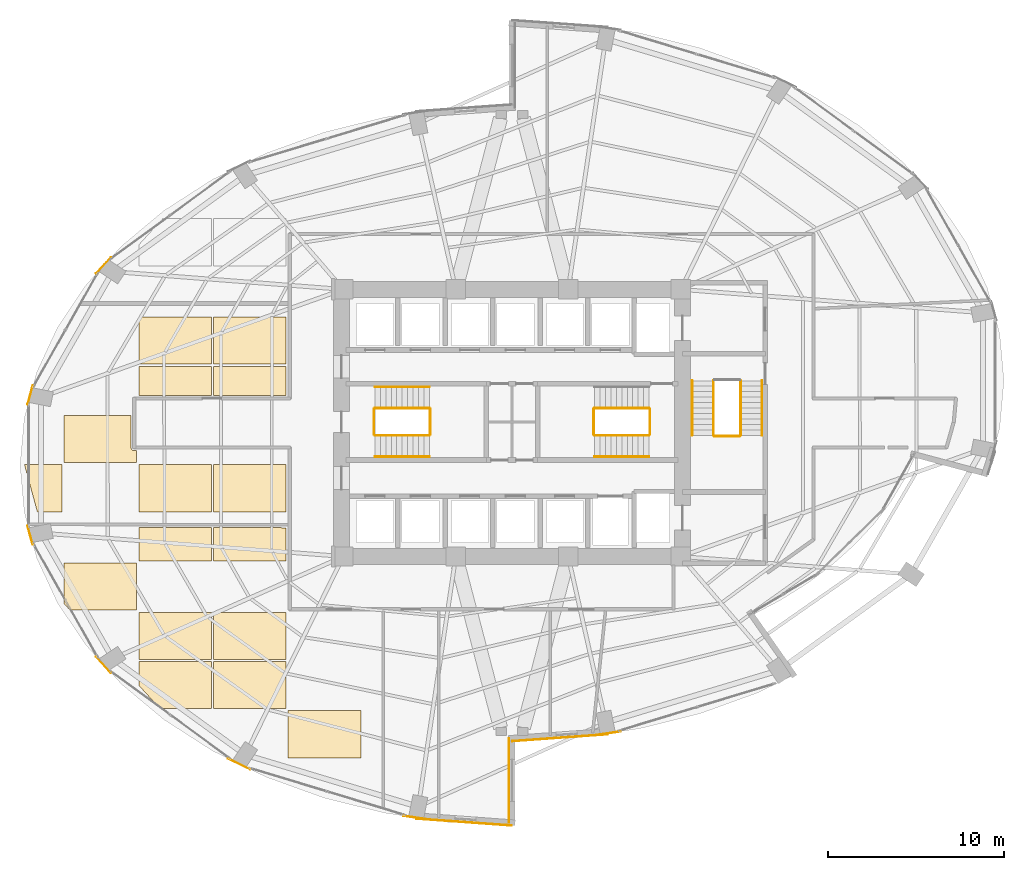
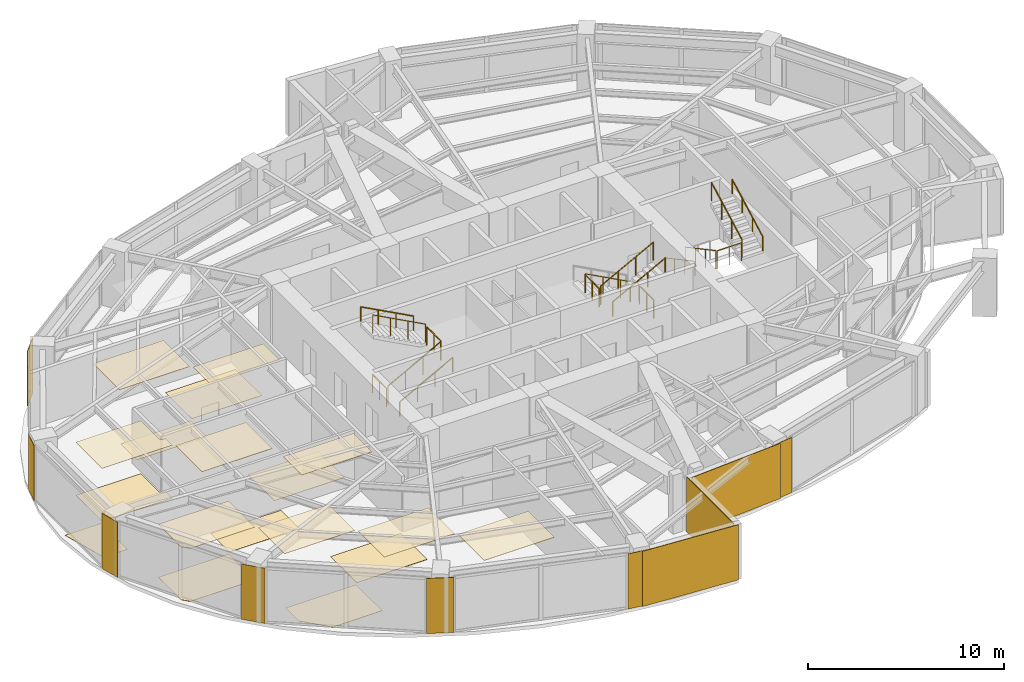
# One storey, part 23 of 24: 28 coverings, 16 railings.
"""IFC4 building model written with IfcOpenShell, lengths in metres."""

from ifc_helpers import new_model, si_unit, direction, frame, origin, origin_2d, place, context, subcontext, project, spatial, polyline, rectangle, circle, outline, extrude, material, layer, layer_set, type_object, element, save


model = new_model("IFC4")

# Units and contexts
model_context = context("Model", 3, precision=1e-05, world=origin(), true_north=direction((0.0, 1.0)))
body_context = subcontext(model_context, "Body", "Model", "MODEL_VIEW")
ifc_project = project(units=[si_unit("LENGTHUNIT", "METRE"), si_unit("AREAUNIT", "SQUARE_METRE"), si_unit("VOLUMEUNIT", "CUBIC_METRE"), si_unit("PLANEANGLEUNIT", "RADIAN"), si_unit("MASSUNIT", "GRAM", prefix="KILO")], contexts=[model_context])

# Site, building, storey
site_placement = place(None, origin())
site = spatial("IfcSite", under=ifc_project, at=site_placement, CompositionType="ELEMENT")
building_placement = place(site_placement, origin())
building = spatial("IfcBuilding", under=site, at=building_placement, Name="Lazwardi Medical Tower", CompositionType="ELEMENT")
storey_placement = place(building_placement, frame((0.0, 0.0, 65.327880859375)))
storey = spatial("IfcBuildingStorey", under=building, at=storey_placement, Name="L16", CompositionType="ELEMENT", Elevation=65.327880859375)

# Coverings
ifc_material_1 = material(Name="Anodised bronze aluminium cassette cladding", Category="aluminium")
ifc_layer_1 = layer(ifc_material_1, 0.030029296875)
ifc_layer_set_1 = layer_set([ifc_layer_1], Name="Anodised bronze aluminium cassette cladding")
covering_type_1 = type_object("IfcCoveringType", Name="COV-CLD-BRZ", PredefinedType="CLADDING", material=ifc_layer_set_1)
covering_1_placement = place(storey_placement, frame((41.454345703125, 10.33251953125, 0.0), z_axis=(0.0, 0.0, 1.0), x_axis=(0.98957259946, 0.144034962415, 0.0)))
element("IfcCovering", 1, at=covering_1_placement, inside=storey, type_object=covering_type_1, Name="L16 Mega-column bronze cassette cover M01", PredefinedType="CLADDING", context=body_context, shape_type="SweptSolid", body=[
    extrude(rectangle(XDim=1.49951171875, YDim=0.030029296875, at=origin_2d()), origin(), (0.0, 0.0, 1.0), 3.427978515625),
])
covering_2_placement = place(storey_placement, frame((12.75390625, 36.96728515625, 0.0), z_axis=(0.0, 0.0, 1.0), x_axis=(-0.674252120961, -0.738501237223, 0.0)))
element("IfcCovering", 2, at=covering_2_placement, inside=storey, type_object=covering_type_1, Name="L16 Mega-column bronze cassette cover M11", PredefinedType="CLADDING", context=body_context, shape_type="SweptSolid", body=[
    extrude(rectangle(XDim=1.24658203125, YDim=0.030029296875, at=origin_2d()), origin(), (0.0, 0.0, 1.0), 3.427978515625),
])
for number, where, z_axis, x_axis, name in (
    (3, (8.579345703125, 29.591796875, 0.0), (0.0, 0.0, 1.0), (-0.262283496593, -0.964990863902, 0.0), "L16 Mega-column bronze cassette cover M12"),
    (4, (8.579345703125, 21.6083984375, 0.0), (0.0, 0.0, 1.0), (0.262283496593, -0.964990863902, 0.0), "L16 Mega-column bronze cassette cover M13"),
):
    element("IfcCovering", number, at=place(storey_placement, frame(where, z_axis=z_axis, x_axis=x_axis)), inside=storey, type_object=covering_type_1, Name=name, PredefinedType="CLADDING", context=body_context, shape_type="SweptSolid", body=[
        extrude(rectangle(XDim=1.12548828125, YDim=0.030029296875, at=origin_2d()), origin(), (0.0, 0.0, 1.0), 3.427978515625),
    ])
covering_3_placement = place(storey_placement, frame((12.75390625, 14.232666015625, 0.0), z_axis=(0.0, 0.0, 1.0), x_axis=(0.674252120961, -0.738501237223, 0.0)))
element("IfcCovering", 5, at=covering_3_placement, inside=storey, type_object=covering_type_1, Name="L16 Mega-column bronze cassette cover M14", PredefinedType="CLADDING", context=body_context, shape_type="SweptSolid", body=[
    extrude(rectangle(XDim=1.24658203125, YDim=0.030029296875, at=origin_2d()), origin(), (0.0, 0.0, 1.0), 3.427978515625),
])
covering_4_placement = place(storey_placement, frame((20.467529296875, 8.587646484375, 0.0), z_axis=(0.0, 0.0, 1.0), x_axis=(0.898334492373, -0.439312121178, 0.0)))
element("IfcCovering", 6, at=covering_4_placement, inside=storey, type_object=covering_type_1, Name="L16 Mega-column bronze cassette cover M15", PredefinedType="CLADDING", context=body_context, shape_type="SweptSolid", body=[
    extrude(rectangle(XDim=1.400390625, YDim=0.030029296875, at=origin_2d()), origin(), (0.0, 0.0, 1.0), 3.427978515625),
])
covering_5_placement = place(storey_placement, frame((30.545654296875, 5.53271484375, 0.0), z_axis=(0.0, 0.0, 1.0), x_axis=(0.98957259946, -0.144034962415, 0.0)))
element("IfcCovering", 7, at=covering_5_placement, inside=storey, type_object=covering_type_1, Name="L16 Mega-column bronze cassette cover M16", PredefinedType="CLADDING", context=body_context, shape_type="SweptSolid", body=[
    extrude(rectangle(XDim=1.49951171875, YDim=0.030029296875, at=origin_2d()), origin(), (0.0, 0.0, 1.0), 3.427978515625),
])
ifc_material_2 = material(Name="Turquoise glazed ceramic tilework cladding", Category="masonry")
ifc_layer_2 = layer(ifc_material_2, 0.034912109375)
ifc_layer_set_2 = layer_set([ifc_layer_2], Name="Turquoise glazed ceramic tilework cladding")
covering_type_2 = type_object("IfcCoveringType", Name="COV-CLD-TRQ", PredefinedType="CLADDING", material=ifc_layer_set_2)
covering_6_placement = place(storey_placement, frame((38.728271484375, 10.080322265625, 0.0), z_axis=(0.0, 0.0, 1.0), x_axis=(0.997421404513, 0.071767275412, 0.0)))
element("IfcCovering", 8, at=covering_6_placement, inside=storey, type_object=covering_type_2, Name="L16 Turquoise glazed ceramic tilework cladding", PredefinedType="CLADDING", context=body_context, shape_type="SweptSolid", body=[
    extrude(rectangle(XDim=5.4453125, YDim=0.034912109375, at=origin_2d()), origin(), (0.0, 0.0, 1.0), 3.427978515625),
])
covering_7_placement = place(storey_placement, frame((33.271484375, 5.280517578125, 0.0), z_axis=(0.0, 0.0, 1.0), x_axis=(0.997420903458, -0.071774238726, 0.0)))
element("IfcCovering", 9, at=covering_7_placement, inside=storey, type_object=covering_type_2, Name="L16 Turquoise glazed ceramic tilework cladding", PredefinedType="CLADDING", context=body_context, shape_type="SweptSolid", body=[
    extrude(rectangle(XDim=5.44482421875, YDim=0.034912109375, at=origin_2d()), origin(), (0.0, 0.0, 1.0), 3.427978515625),
])
covering_8_placement = place(storey_placement, frame((35.824462890625, 7.659912109375, 0.0), z_axis=(0.0, 0.0, 1.0), x_axis=(0.0, 1.0, 0.0)))
element("IfcCovering", 10, at=covering_8_placement, inside=storey, type_object=covering_type_2, Name="L16 Turquoise glazed ceramic tilework iwan panel", PredefinedType="CLADDING", context=body_context, shape_type="SweptSolid", body=[
    extrude(rectangle(XDim=4.800048828125, YDim=0.034912109375, at=origin_2d()), origin(), (0.0, 0.0, 1.0), 3.427978515625),
])
ifc_material_3 = material(Name="Acoustic mineral fibre tile")
ifc_layer_3 = layer(ifc_material_3, 0.02490234375)
ifc_layer_set_3 = layer_set([ifc_layer_3], Name="Acoustic mineral fibre tile")
covering_type_3 = type_object("IfcCoveringType", Name="COV-CLG-01", PredefinedType="CEILING", material=ifc_layer_set_3)
covering_9_placement = place(storey_placement, frame((0.0, 0.0, 3.283203125)))
element("IfcCovering", 11, at=covering_9_placement, inside=storey, type_object=covering_type_3, Name="L16 Clinical Acoustic Ceiling 1", PredefinedType="CEILING", context=body_context, shape_type="SweptSolid", body=[
    extrude(outline(polyline([(10.512939453125, 17.707275390625), (10.846435546875, 17.342529296875), (14.642822265625, 17.342529296875), (14.642822265625, 20.0224609375), (10.512939453125, 20.0224609375), (10.512939453125, 17.707275390625)])), origin(), (0.0, 0.0, 1.0), 0.02490234375),
])
covering_10_placement = place(storey_placement, frame((0.0, 0.0, 3.283203125)))
element("IfcCovering", 12, at=covering_10_placement, inside=storey, type_object=covering_type_3, Name="L16 Clinical Acoustic Ceiling 2", PredefinedType="CEILING", context=body_context, shape_type="SweptSolid", body=[
    extrude(outline(polyline([(14.642822265625, 26.425048828125), (14.5, 26.425048828125), (14.49560546875, 26.425048828125), (14.486328125, 26.425537109375), (14.4794921875, 26.42626953125), (14.47021484375, 26.427490234375), (14.4619140625, 26.42919921875), (14.452880859375, 26.431396484375), (14.44580078125, 26.43359375), (14.43701171875, 26.436767578125), (14.42919921875, 26.43994140625), (14.4208984375, 26.444091796875), (14.4140625, 26.447509765625), (14.406005859375, 26.452392578125), (14.3994140625, 26.456787109375), (14.391845703125, 26.46240234375), (14.38623046875, 26.467041015625), (14.37939453125, 26.473388671875), (14.373291015625, 26.479248046875), (14.3671875, 26.486083984375), (14.362548828125, 26.49169921875), (14.35693359375, 26.499267578125), (14.352294921875, 26.506103515625), (14.34765625, 26.513916015625), (14.343994140625, 26.520751953125), (14.340087890625, 26.529296875), (14.336669921875, 26.537109375), (14.33349609375, 26.5458984375), (14.33154296875, 26.552734375), (14.3291015625, 26.56201171875), (14.32763671875, 26.5703125), (14.326416015625, 26.57958984375), (14.32568359375, 26.58642578125), (14.3251953125, 26.595703125), (14.324951171875, 26.60009765625), (14.324951171875, 28.422607421875), (10.512939453125, 28.422607421875), (10.512939453125, 25.742431640625), (14.642822265625, 25.742431640625), (14.642822265625, 26.425048828125)])), origin(), (0.0, 0.0, 1.0), 0.02490234375),
])
covering_11_placement = place(storey_placement, frame((0.0, 0.0, 3.283203125)))
element("IfcCovering", 13, at=covering_11_placement, inside=storey, type_object=covering_type_3, Name="L16 Clinical Acoustic Ceiling 3", PredefinedType="CEILING", context=body_context, shape_type="SweptSolid", body=[
    extrude(outline(polyline([(18.892822265625, 14.54248046875), (18.892822265625, 17.222412109375), (14.762939453125, 17.222412109375), (14.762939453125, 14.54248046875), (18.892822265625, 14.54248046875)])), origin(), (0.0, 0.0, 1.0), 0.02490234375),
])
covering_12_placement = place(storey_placement, frame((0.0, 0.0, 3.283203125)))
element("IfcCovering", 14, at=covering_12_placement, inside=storey, type_object=covering_type_3, Name="L16 Clinical Acoustic Ceiling 4", PredefinedType="CEILING", context=body_context, shape_type="SweptSolid", body=[
    extrude(outline(polyline([(18.892822265625, 22.9423828125), (18.892822265625, 25.62255859375), (14.762939453125, 25.62255859375), (14.762939453125, 22.9423828125), (18.892822265625, 22.9423828125)])), origin(), (0.0, 0.0, 1.0), 0.02490234375),
])
covering_13_placement = place(storey_placement, frame((0.0, 0.0, 3.283203125)))
element("IfcCovering", 15, at=covering_13_placement, inside=storey, type_object=covering_type_3, Name="L16 Clinical Acoustic Ceiling 5", PredefinedType="CEILING", context=body_context, shape_type="SweptSolid", body=[
    extrude(outline(polyline([(18.892822265625, 31.342529296875), (18.892822265625, 34.0224609375), (14.762939453125, 34.0224609375), (14.762939453125, 31.342529296875), (18.892822265625, 31.342529296875)])), origin(), (0.0, 0.0, 1.0), 0.02490234375),
])
covering_14_placement = place(storey_placement, frame((0.0, 0.0, 3.283203125)))
element("IfcCovering", 16, at=covering_14_placement, inside=storey, type_object=covering_type_3, Name="L16 Clinical Acoustic Ceiling 6", PredefinedType="CEILING", context=body_context, shape_type="SweptSolid", body=[
    extrude(outline(polyline([(23.142822265625, 11.742431640625), (23.142822265625, 14.422607421875), (19.012939453125, 14.422607421875), (19.012939453125, 11.742431640625), (23.142822265625, 11.742431640625)])), origin(), (0.0, 0.0, 1.0), 0.02490234375),
])
covering_15_placement = place(storey_placement, frame((0.0, 0.0, 3.283203125)))
element("IfcCovering", 17, at=covering_15_placement, inside=storey, type_object=covering_type_3, Name="L16 Clinical Acoustic Ceiling 7", PredefinedType="CEILING", context=body_context, shape_type="SweptSolid", body=[
    extrude(outline(polyline([(23.142822265625, 22.035400390625), (19.012939453125, 22.044189453125), (19.012939453125, 20.142578125), (23.142822265625, 20.142578125), (23.142822265625, 22.035400390625)])), origin(), (0.0, 0.0, 1.0), 0.02490234375),
])
covering_16_placement = place(storey_placement, frame((0.0, 0.0, 3.283203125)))
element("IfcCovering", 18, at=covering_16_placement, inside=storey, type_object=covering_type_3, Name="L16 Clinical Acoustic Ceiling 8", PredefinedType="CEILING", context=body_context, shape_type="SweptSolid", body=[
    extrude(outline(polyline([(19.012939453125, 29.574951171875), (23.142822265625, 29.574951171875), (23.142822265625, 31.222412109375), (19.012939453125, 31.222412109375), (19.012939453125, 29.574951171875)])), origin(), (0.0, 0.0, 1.0), 0.02490234375),
])
covering_17_placement = place(storey_placement, frame((0.0, 0.0, 3.283203125)))
element("IfcCovering", 19, at=covering_17_placement, inside=storey, type_object=covering_type_3, Name="L16 Clinical Acoustic Ceiling 10", PredefinedType="CEILING", context=body_context, shape_type="SweptSolid", body=[
    extrude(outline(polyline([(27.392822265625, 8.9423828125), (27.392822265625, 11.62255859375), (23.262939453125, 11.62255859375), (23.262939453125, 8.9423828125), (27.392822265625, 8.9423828125)])), origin(), (0.0, 0.0, 1.0), 0.02490234375),
])
ifc_material_4 = material(Name="Anti-static hospital vinyl sheet flooring")
ifc_layer_4 = layer(ifc_material_4, 0.014892578125)
ifc_layer_set_4 = layer_set([ifc_layer_4], Name="Anti-static hospital vinyl sheet flooring")
covering_type_4 = type_object("IfcCoveringType", Name="COV-FLR-01", PredefinedType="FLOORING", material=ifc_layer_set_4)
covering_18_placement = place(storey_placement, origin())
element("IfcCovering", 20, at=covering_18_placement, inside=storey, type_object=covering_type_4, Name="L16 Clinical Vinyl Flooring 1", PredefinedType="FLOORING", context=body_context, shape_type="SweptSolid", body=[
    extrude(outline(polyline([(8.26904296875, 25.62255859375), (8.262939453125, 25.60009765625), (8.98681640625, 22.9423828125), (10.392822265625, 22.9423828125), (10.392822265625, 25.62255859375), (8.26904296875, 25.62255859375)])), origin(), (0.0, 0.0, 1.0), 0.01513671875),
])
covering_19_placement = place(storey_placement, origin())
element("IfcCovering", 21, at=covering_19_placement, inside=storey, type_object=covering_type_4, Name="L16 Clinical Vinyl Flooring 2", PredefinedType="FLOORING", context=body_context, shape_type="SweptSolid", body=[
    extrude(outline(polyline([(10.512939453125, 17.707275390625), (10.846435546875, 17.342529296875), (14.642822265625, 17.342529296875), (14.642822265625, 20.0224609375), (10.512939453125, 20.0224609375), (10.512939453125, 17.707275390625)])), origin(), (0.0, 0.0, 1.0), 0.01513671875),
])
covering_20_placement = place(storey_placement, origin())
element("IfcCovering", 22, at=covering_20_placement, inside=storey, type_object=covering_type_4, Name="L16 Clinical Vinyl Flooring 3", PredefinedType="FLOORING", context=body_context, shape_type="SweptSolid", body=[
    extrude(outline(polyline([(14.642822265625, 26.425048828125), (14.5, 26.425048828125), (14.49560546875, 26.425048828125), (14.486328125, 26.425537109375), (14.4794921875, 26.42626953125), (14.47021484375, 26.427490234375), (14.4619140625, 26.42919921875), (14.452880859375, 26.431396484375), (14.44580078125, 26.43359375), (14.43701171875, 26.436767578125), (14.42919921875, 26.43994140625), (14.4208984375, 26.444091796875), (14.4140625, 26.447509765625), (14.406005859375, 26.452392578125), (14.3994140625, 26.456787109375), (14.391845703125, 26.46240234375), (14.38623046875, 26.467041015625), (14.37939453125, 26.473388671875), (14.373291015625, 26.479248046875), (14.3671875, 26.486083984375), (14.362548828125, 26.49169921875), (14.35693359375, 26.499267578125), (14.352294921875, 26.506103515625), (14.34765625, 26.513916015625), (14.343994140625, 26.520751953125), (14.340087890625, 26.529296875), (14.336669921875, 26.537109375), (14.33349609375, 26.5458984375), (14.33154296875, 26.552734375), (14.3291015625, 26.56201171875), (14.32763671875, 26.5703125), (14.326416015625, 26.57958984375), (14.32568359375, 26.58642578125), (14.3251953125, 26.595703125), (14.324951171875, 26.60009765625), (14.324951171875, 28.422607421875), (10.512939453125, 28.422607421875), (10.512939453125, 25.742431640625), (14.642822265625, 25.742431640625), (14.642822265625, 26.425048828125)])), origin(), (0.0, 0.0, 1.0), 0.01513671875),
])
covering_21_placement = place(storey_placement, origin())
element("IfcCovering", 23, at=covering_21_placement, inside=storey, type_object=covering_type_4, Name="L16 Clinical Vinyl Flooring 4", PredefinedType="FLOORING", context=body_context, shape_type="SweptSolid", body=[
    extrude(outline(polyline([(14.762939453125, 13.061279296875), (15.969482421875, 11.742431640625), (18.892822265625, 11.742431640625), (18.892822265625, 14.422607421875), (14.762939453125, 14.422607421875), (14.762939453125, 13.061279296875)])), origin(), (0.0, 0.0, 1.0), 0.01513671875),
])
covering_22_placement = place(storey_placement, origin())
element("IfcCovering", 24, at=covering_22_placement, inside=storey, type_object=covering_type_4, Name="L16 Clinical Vinyl Flooring 5", PredefinedType="FLOORING", context=body_context, shape_type="SweptSolid", body=[
    extrude(outline(polyline([(18.892822265625, 22.04443359375), (14.762939453125, 22.05322265625), (14.762939453125, 20.142578125), (18.892822265625, 20.142578125), (18.892822265625, 22.04443359375)])), origin(), (0.0, 0.0, 1.0), 0.01513671875),
])
covering_23_placement = place(storey_placement, origin())
element("IfcCovering", 25, at=covering_23_placement, inside=storey, type_object=covering_type_4, Name="L16 Clinical Vinyl Flooring 6", PredefinedType="FLOORING", context=body_context, shape_type="SweptSolid", body=[
    extrude(outline(polyline([(14.762939453125, 29.574951171875), (18.892822265625, 29.574951171875), (18.892822265625, 31.222412109375), (14.762939453125, 31.222412109375), (14.762939453125, 29.574951171875)])), origin(), (0.0, 0.0, 1.0), 0.01513671875),
])
covering_24_placement = place(storey_placement, origin())
element("IfcCovering", 26, at=covering_24_placement, inside=storey, type_object=covering_type_4, Name="L16 Clinical Vinyl Flooring 8", PredefinedType="FLOORING", context=body_context, shape_type="SweptSolid", body=[
    extrude(outline(polyline([(23.142822265625, 14.54248046875), (23.142822265625, 17.222412109375), (19.012939453125, 17.222412109375), (19.012939453125, 14.54248046875), (23.142822265625, 14.54248046875)])), origin(), (0.0, 0.0, 1.0), 0.01513671875),
])
covering_25_placement = place(storey_placement, origin())
element("IfcCovering", 27, at=covering_25_placement, inside=storey, type_object=covering_type_4, Name="L16 Clinical Vinyl Flooring 9", PredefinedType="FLOORING", context=body_context, shape_type="SweptSolid", body=[
    extrude(outline(polyline([(23.142822265625, 22.9423828125), (23.142822265625, 25.62255859375), (19.012939453125, 25.62255859375), (19.012939453125, 22.9423828125), (23.142822265625, 22.9423828125)])), origin(), (0.0, 0.0, 1.0), 0.01513671875),
])
covering_26_placement = place(storey_placement, origin())
element("IfcCovering", 28, at=covering_26_placement, inside=storey, type_object=covering_type_4, Name="L16 Clinical Vinyl Flooring 10", PredefinedType="FLOORING", context=body_context, shape_type="SweptSolid", body=[
    extrude(outline(polyline([(23.142822265625, 31.342529296875), (23.142822265625, 34.0224609375), (19.012939453125, 34.0224609375), (19.012939453125, 31.342529296875), (23.142822265625, 31.342529296875)])), origin(), (0.0, 0.0, 1.0), 0.01513671875),
])

# Railings
ifc_material_5 = material(Name="Stainless steel Grade 316", Category="steel")
railing_type_1 = type_object("IfcRailingType", Name="RLG-GRD-1150", PredefinedType="GUARDRAIL", material=ifc_material_5)
railing_1_placement = place(storey_placement, frame((28.199951171875, 27.2900390625, 0.166015625)))
element("IfcRailing", 29, at=railing_1_placement, inside=storey, type_object=railing_type_1, Name="L16 ST1 stair guard 1", PredefinedType="GUARDRAIL", context=body_context, shape_type="SweptSolid", body=[
    extrude(circle(Radius=0.02392578125, at=origin_2d()), frame((0.0, 0.0, 1.1259765625), z_axis=(0.881783298633, 0.0, 0.471654761719), x_axis=(0.0, 1.0, 0.0)), (0.0, 0.0, 1.0), 3.515625),
    extrude(circle(Radius=0.02099609375, at=origin_2d()), origin(), (0.0, 0.0, 1.0), 1.099853515625),
    extrude(circle(Radius=0.02099609375, at=origin_2d()), frame((1.033447265625, 0.0, 0.552734375)), (0.0, 0.0, 1.0), 1.099853515625),
    extrude(circle(Radius=0.02099609375, at=origin_2d()), frame((2.066650390625, 0.0, 1.10546875)), (0.0, 0.0, 1.0), 1.099853515625),
    extrude(circle(Radius=0.02099609375, at=origin_2d()), frame((3.10009765625, 0.0, 1.658203125)), (0.0, 0.0, 1.0), 1.099853515625),
])
railing_2_placement = place(storey_placement, frame((31.35009765625, 27.340087890625, 1.82421875)))
element("IfcRailing", 30, at=railing_2_placement, inside=storey, type_object=railing_type_1, Name="L16 ST1 stair guard 2", PredefinedType="GUARDRAIL", context=body_context, shape_type="SweptSolid", body=[
    extrude(circle(Radius=0.02392578125, at=origin_2d()), frame((0.0, 0.0, 1.1259765625), z_axis=(0.0, 1.0, 0.0), x_axis=(-1.0, 0.0, 0.0)), (0.0, 0.0, 1.0), 1.43994140625),
    extrude(circle(Radius=0.02099609375, at=origin_2d()), origin(), (0.0, 0.0, 1.0), 1.099853515625),
    extrude(circle(Radius=0.02099609375, at=origin_2d()), frame((0.0, 0.719970703125, 0.0)), (0.0, 0.0, 1.0), 1.099853515625),
    extrude(circle(Radius=0.02099609375, at=origin_2d()), frame((0.0, 1.43994140625, 0.0)), (0.0, 0.0, 1.0), 1.099853515625),
])
railing_3_placement = place(storey_placement, frame((31.300048828125, 28.830078125, 1.989990234375)))
element("IfcRailing", 31, at=railing_3_placement, inside=storey, type_object=railing_type_1, Name="L16 ST1 stair guard 3", PredefinedType="GUARDRAIL", context=body_context, shape_type="SweptSolid", body=[
    extrude(circle(Radius=0.02392578125, at=origin_2d()), frame((0.0, 0.0, 1.1259765625), z_axis=(-0.881783298633, 0.0, 0.471654761719), x_axis=(0.0, -1.0, 0.0)), (0.0, 0.0, 1.0), 3.515625),
    extrude(circle(Radius=0.02099609375, at=origin_2d()), origin(), (0.0, 0.0, 1.0), 1.099853515625),
    extrude(circle(Radius=0.02099609375, at=origin_2d()), frame((-1.033447265625, 0.0, 0.552734375)), (0.0, 0.0, 1.0), 1.099853515625),
    extrude(circle(Radius=0.02099609375, at=origin_2d()), frame((-2.066650390625, 0.0, 1.10546875)), (0.0, 0.0, 1.0), 1.099853515625),
    extrude(circle(Radius=0.02099609375, at=origin_2d()), frame((-3.10009765625, 0.0, 1.658203125)), (0.0, 0.0, 1.0), 1.099853515625),
])
railing_4_placement = place(storey_placement, frame((28.14990234375, 27.340087890625, 0.0)))
element("IfcRailing", 32, at=railing_4_placement, inside=storey, type_object=railing_type_1, Name="L16 ST1 stair guard 4", PredefinedType="GUARDRAIL", context=body_context, shape_type="SweptSolid", body=[
    extrude(circle(Radius=0.02392578125, at=origin_2d()), frame((0.0, 0.0, 1.1259765625), z_axis=(0.0, 1.0, 0.0), x_axis=(-1.0, 0.0, 0.0)), (0.0, 0.0, 1.0), 1.43994140625),
    extrude(circle(Radius=0.02099609375, at=origin_2d()), origin(), (0.0, 0.0, 1.0), 1.099853515625),
    extrude(circle(Radius=0.02099609375, at=origin_2d()), frame((0.0, 0.719970703125, 0.0)), (0.0, 0.0, 1.0), 1.099853515625),
    extrude(circle(Radius=0.02099609375, at=origin_2d()), frame((0.0, 1.43994140625, 0.0)), (0.0, 0.0, 1.0), 1.099853515625),
])
railing_5_placement = place(storey_placement, frame((43.800048828125, 28.830078125, 0.166015625)))
element("IfcRailing", 33, at=railing_5_placement, inside=storey, type_object=railing_type_1, Name="L16 ST2 stair guard 1", PredefinedType="GUARDRAIL", context=body_context, shape_type="SweptSolid", body=[
    extrude(circle(Radius=0.02392578125, at=origin_2d()), frame((0.0, 0.0, 1.1259765625), z_axis=(-0.881783298633, 0.0, 0.471654761719), x_axis=(0.0, -1.0, 0.0)), (0.0, 0.0, 1.0), 3.515625),
    extrude(circle(Radius=0.02099609375, at=origin_2d()), origin(), (0.0, 0.0, 1.0), 1.099853515625),
    extrude(circle(Radius=0.02099609375, at=origin_2d()), frame((-1.033447265625, 0.0, 0.552734375)), (0.0, 0.0, 1.0), 1.099853515625),
    extrude(circle(Radius=0.02099609375, at=origin_2d()), frame((-2.066650390625, 0.0, 1.10546875)), (0.0, 0.0, 1.0), 1.099853515625),
    extrude(circle(Radius=0.02099609375, at=origin_2d()), frame((-3.10009765625, 0.0, 1.658203125)), (0.0, 0.0, 1.0), 1.099853515625),
])
railing_6_placement = place(storey_placement, frame((40.64990234375, 28.780029296875, 1.82421875)))
element("IfcRailing", 34, at=railing_6_placement, inside=storey, type_object=railing_type_1, Name="L16 ST2 stair guard 2", PredefinedType="GUARDRAIL", context=body_context, shape_type="SweptSolid", body=[
    extrude(circle(Radius=0.02392578125, at=origin_2d()), frame((0.0, 0.0, 1.1259765625), z_axis=(0.0, -1.0, 0.0), x_axis=(1.0, 0.0, 0.0)), (0.0, 0.0, 1.0), 1.43994140625),
    extrude(circle(Radius=0.02099609375, at=origin_2d()), origin(), (0.0, 0.0, 1.0), 1.099853515625),
    extrude(circle(Radius=0.02099609375, at=origin_2d()), frame((0.0, -0.719970703125, 0.0)), (0.0, 0.0, 1.0), 1.099853515625),
    extrude(circle(Radius=0.02099609375, at=origin_2d()), frame((0.0, -1.43994140625, 0.0)), (0.0, 0.0, 1.0), 1.099853515625),
])
railing_7_placement = place(storey_placement, frame((40.699951171875, 27.2900390625, 1.989990234375)))
element("IfcRailing", 35, at=railing_7_placement, inside=storey, type_object=railing_type_1, Name="L16 ST2 stair guard 3", PredefinedType="GUARDRAIL", context=body_context, shape_type="SweptSolid", body=[
    extrude(circle(Radius=0.02392578125, at=origin_2d()), frame((0.0, 0.0, 1.1259765625), z_axis=(0.881783298633, 0.0, 0.471654761719), x_axis=(0.0, 1.0, 0.0)), (0.0, 0.0, 1.0), 3.515625),
    extrude(circle(Radius=0.02099609375, at=origin_2d()), origin(), (0.0, 0.0, 1.0), 1.099853515625),
    extrude(circle(Radius=0.02099609375, at=origin_2d()), frame((1.033447265625, 0.0, 0.552734375)), (0.0, 0.0, 1.0), 1.099853515625),
    extrude(circle(Radius=0.02099609375, at=origin_2d()), frame((2.066650390625, 0.0, 1.10546875)), (0.0, 0.0, 1.0), 1.099853515625),
    extrude(circle(Radius=0.02099609375, at=origin_2d()), frame((3.10009765625, 0.0, 1.658203125)), (0.0, 0.0, 1.0), 1.099853515625),
])
railing_8_placement = place(storey_placement, frame((43.85009765625, 28.780029296875, 0.0)))
element("IfcRailing", 36, at=railing_8_placement, inside=storey, type_object=railing_type_1, Name="L16 ST2 stair guard 4", PredefinedType="GUARDRAIL", context=body_context, shape_type="SweptSolid", body=[
    extrude(circle(Radius=0.02392578125, at=origin_2d()), frame((0.0, 0.0, 1.1259765625), z_axis=(0.0, -1.0, 0.0), x_axis=(1.0, 0.0, 0.0)), (0.0, 0.0, 1.0), 1.43994140625),
    extrude(circle(Radius=0.02099609375, at=origin_2d()), origin(), (0.0, 0.0, 1.0), 1.099853515625),
    extrude(circle(Radius=0.02099609375, at=origin_2d()), frame((0.0, -0.719970703125, 0.0)), (0.0, 0.0, 1.0), 1.099853515625),
    extrude(circle(Radius=0.02099609375, at=origin_2d()), frame((0.0, -1.43994140625, 0.0)), (0.0, 0.0, 1.0), 1.099853515625),
])
railing_9_placement = place(storey_placement, frame((47.469970703125, 30.39990234375, 0.166015625)))
element("IfcRailing", 37, at=railing_9_placement, inside=storey, type_object=railing_type_1, Name="L16 ST3 stair guard 1", PredefinedType="GUARDRAIL", context=body_context, shape_type="SweptSolid", body=[
    extrude(circle(Radius=0.02392578125, at=origin_2d()), frame((0.0, 0.0, 1.1259765625), z_axis=(0.0, -0.881767849116, 0.471683644262), x_axis=(1.0, 0.0, 0.0)), (0.0, 0.0, 1.0), 3.515380859375),
    extrude(circle(Radius=0.02099609375, at=origin_2d()), origin(), (0.0, 0.0, 1.0), 1.099853515625),
    extrude(circle(Radius=0.02099609375, at=origin_2d()), frame((0.0, -1.033203125, 0.552734375)), (0.0, 0.0, 1.0), 1.099853515625),
    extrude(circle(Radius=0.02099609375, at=origin_2d()), frame((0.0, -2.066650390625, 1.10546875)), (0.0, 0.0, 1.0), 1.099853515625),
    extrude(circle(Radius=0.02099609375, at=origin_2d()), frame((0.0, -3.099853515625, 1.658203125)), (0.0, 0.0, 1.0), 1.099853515625),
])
railing_10_placement = place(storey_placement, frame((47.52001953125, 27.25, 1.82421875)))
element("IfcRailing", 38, at=railing_10_placement, inside=storey, type_object=railing_type_1, Name="L16 ST3 stair guard 2", PredefinedType="GUARDRAIL", context=body_context, shape_type="SweptSolid", body=[
    extrude(circle(Radius=0.02392578125, at=origin_2d()), frame((0.0, 0.0, 1.1259765625), z_axis=(1.0, 0.0, 0.0), x_axis=(0.0, 1.0, 0.0)), (0.0, 0.0, 1.0), 1.43994140625),
    extrude(circle(Radius=0.02099609375, at=origin_2d()), origin(), (0.0, 0.0, 1.0), 1.099853515625),
    extrude(circle(Radius=0.02099609375, at=origin_2d()), frame((0.719970703125, 0.0, 0.0)), (0.0, 0.0, 1.0), 1.099853515625),
    extrude(circle(Radius=0.02099609375, at=origin_2d()), frame((1.43994140625, 0.0, 0.0)), (0.0, 0.0, 1.0), 1.099853515625),
])
railing_11_placement = place(storey_placement, frame((49.010009765625, 27.300048828125, 1.989990234375)))
element("IfcRailing", 39, at=railing_11_placement, inside=storey, type_object=railing_type_1, Name="L16 ST3 stair guard 3", PredefinedType="GUARDRAIL", context=body_context, shape_type="SweptSolid", body=[
    extrude(circle(Radius=0.02392578125, at=origin_2d()), frame((0.0, 0.0, 1.1259765625), z_axis=(0.0, 0.881767849116, 0.471683644262), x_axis=(-1.0, 0.0, 0.0)), (0.0, 0.0, 1.0), 3.515380859375),
    extrude(circle(Radius=0.02099609375, at=origin_2d()), origin(), (0.0, 0.0, 1.0), 1.099853515625),
    extrude(circle(Radius=0.02099609375, at=origin_2d()), frame((0.0, 1.033203125, 0.552734375)), (0.0, 0.0, 1.0), 1.099853515625),
    extrude(circle(Radius=0.02099609375, at=origin_2d()), frame((0.0, 2.066650390625, 1.10546875)), (0.0, 0.0, 1.0), 1.099853515625),
    extrude(circle(Radius=0.02099609375, at=origin_2d()), frame((0.0, 3.099853515625, 1.658203125)), (0.0, 0.0, 1.0), 1.099853515625),
])
railing_type_2 = type_object("IfcRailingType", Name="RLG-HND-920", PredefinedType="HANDRAIL", material=ifc_material_5)
railing_12_placement = place(storey_placement, frame((28.199951171875, 26.070068359375, 0.166015625)))
element("IfcRailing", 40, at=railing_12_placement, inside=storey, type_object=railing_type_2, Name="L16 ST1 stair handrail 1", PredefinedType="HANDRAIL", context=body_context, shape_type="SweptSolid", body=[
    extrude(circle(Radius=0.02392578125, at=origin_2d()), frame((0.0, 0.0, 0.8857421875), z_axis=(0.881783298633, 0.0, 0.471654761719), x_axis=(0.0, 1.0, 0.0)), (0.0, 0.0, 1.0), 3.515625),
    extrude(circle(Radius=0.02099609375, at=origin_2d()), origin(), (0.0, 0.0, 1.0), 0.85986328125),
    extrude(circle(Radius=0.02099609375, at=origin_2d()), frame((1.033447265625, 0.0, 0.552734375)), (0.0, 0.0, 1.0), 0.85986328125),
    extrude(circle(Radius=0.02099609375, at=origin_2d()), frame((2.066650390625, 0.0, 1.10546875)), (0.0, 0.0, 1.0), 0.85986328125),
    extrude(circle(Radius=0.02099609375, at=origin_2d()), frame((3.10009765625, 0.0, 1.658203125)), (0.0, 0.0, 1.0), 0.85986328125),
])
railing_13_placement = place(storey_placement, frame((31.300048828125, 30.050048828125, 1.989990234375)))
element("IfcRailing", 41, at=railing_13_placement, inside=storey, type_object=railing_type_2, Name="L16 ST1 stair handrail 2", PredefinedType="HANDRAIL", context=body_context, shape_type="SweptSolid", body=[
    extrude(circle(Radius=0.02392578125, at=origin_2d()), frame((0.0, 0.0, 0.8857421875), z_axis=(-0.881783298633, 0.0, 0.471654761719), x_axis=(0.0, -1.0, 0.0)), (0.0, 0.0, 1.0), 3.515625),
    extrude(circle(Radius=0.02099609375, at=origin_2d()), origin(), (0.0, 0.0, 1.0), 0.85986328125),
    extrude(circle(Radius=0.02099609375, at=origin_2d()), frame((-1.033447265625, 0.0, 0.552734375)), (0.0, 0.0, 1.0), 0.85986328125),
    extrude(circle(Radius=0.02099609375, at=origin_2d()), frame((-2.066650390625, 0.0, 1.10546875)), (0.0, 0.0, 1.0), 0.85986328125),
    extrude(circle(Radius=0.02099609375, at=origin_2d()), frame((-3.10009765625, 0.0, 1.658203125)), (0.0, 0.0, 1.0), 0.85986328125),
])
railing_14_placement = place(storey_placement, frame((40.699951171875, 26.070068359375, 1.989990234375)))
element("IfcRailing", 42, at=railing_14_placement, inside=storey, type_object=railing_type_2, Name="L16 ST2 stair handrail 2", PredefinedType="HANDRAIL", context=body_context, shape_type="SweptSolid", body=[
    extrude(circle(Radius=0.02392578125, at=origin_2d()), frame((0.0, 0.0, 0.8857421875), z_axis=(0.881783298633, 0.0, 0.471654761719), x_axis=(0.0, 1.0, 0.0)), (0.0, 0.0, 1.0), 3.515625),
    extrude(circle(Radius=0.02099609375, at=origin_2d()), origin(), (0.0, 0.0, 1.0), 0.85986328125),
    extrude(circle(Radius=0.02099609375, at=origin_2d()), frame((1.033447265625, 0.0, 0.552734375)), (0.0, 0.0, 1.0), 0.85986328125),
    extrude(circle(Radius=0.02099609375, at=origin_2d()), frame((2.066650390625, 0.0, 1.10546875)), (0.0, 0.0, 1.0), 0.85986328125),
    extrude(circle(Radius=0.02099609375, at=origin_2d()), frame((3.10009765625, 0.0, 1.658203125)), (0.0, 0.0, 1.0), 0.85986328125),
])
railing_15_placement = place(storey_placement, frame((46.25, 30.39990234375, 0.166015625)))
element("IfcRailing", 43, at=railing_15_placement, inside=storey, type_object=railing_type_2, Name="L16 ST3 stair handrail 1", PredefinedType="HANDRAIL", context=body_context, shape_type="SweptSolid", body=[
    extrude(circle(Radius=0.02392578125, at=origin_2d()), frame((0.0, 0.0, 0.8857421875), z_axis=(0.0, -0.881767849116, 0.471683644262), x_axis=(1.0, 0.0, 0.0)), (0.0, 0.0, 1.0), 3.515380859375),
    extrude(circle(Radius=0.02099609375, at=origin_2d()), origin(), (0.0, 0.0, 1.0), 0.85986328125),
    extrude(circle(Radius=0.02099609375, at=origin_2d()), frame((0.0, -1.033203125, 0.552734375)), (0.0, 0.0, 1.0), 0.85986328125),
    extrude(circle(Radius=0.02099609375, at=origin_2d()), frame((0.0, -2.066650390625, 1.10546875)), (0.0, 0.0, 1.0), 0.85986328125),
    extrude(circle(Radius=0.02099609375, at=origin_2d()), frame((0.0, -3.099853515625, 1.658203125)), (0.0, 0.0, 1.0), 0.85986328125),
])
railing_16_placement = place(storey_placement, frame((50.22998046875, 27.300048828125, 1.989990234375)))
element("IfcRailing", 44, at=railing_16_placement, inside=storey, type_object=railing_type_2, Name="L16 ST3 stair handrail 2", PredefinedType="HANDRAIL", context=body_context, shape_type="SweptSolid", body=[
    extrude(circle(Radius=0.02392578125, at=origin_2d()), frame((0.0, 0.0, 0.8857421875), z_axis=(0.0, 0.881767849116, 0.471683644262), x_axis=(-1.0, 0.0, 0.0)), (0.0, 0.0, 1.0), 3.515380859375),
    extrude(circle(Radius=0.02099609375, at=origin_2d()), origin(), (0.0, 0.0, 1.0), 0.85986328125),
    extrude(circle(Radius=0.02099609375, at=origin_2d()), frame((0.0, 1.033203125, 0.552734375)), (0.0, 0.0, 1.0), 0.85986328125),
    extrude(circle(Radius=0.02099609375, at=origin_2d()), frame((0.0, 2.066650390625, 1.10546875)), (0.0, 0.0, 1.0), 0.85986328125),
    extrude(circle(Radius=0.02099609375, at=origin_2d()), frame((0.0, 3.099853515625, 1.658203125)), (0.0, 0.0, 1.0), 0.85986328125),
])

save(model, "model.ifc")
